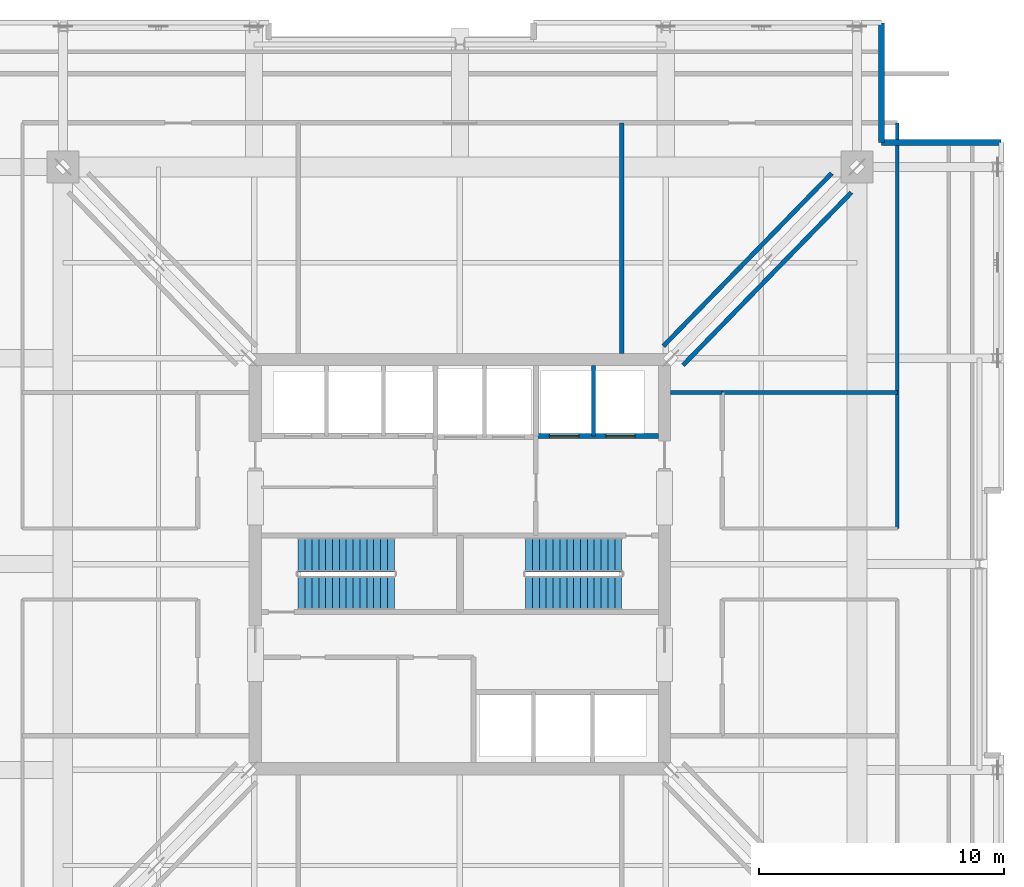
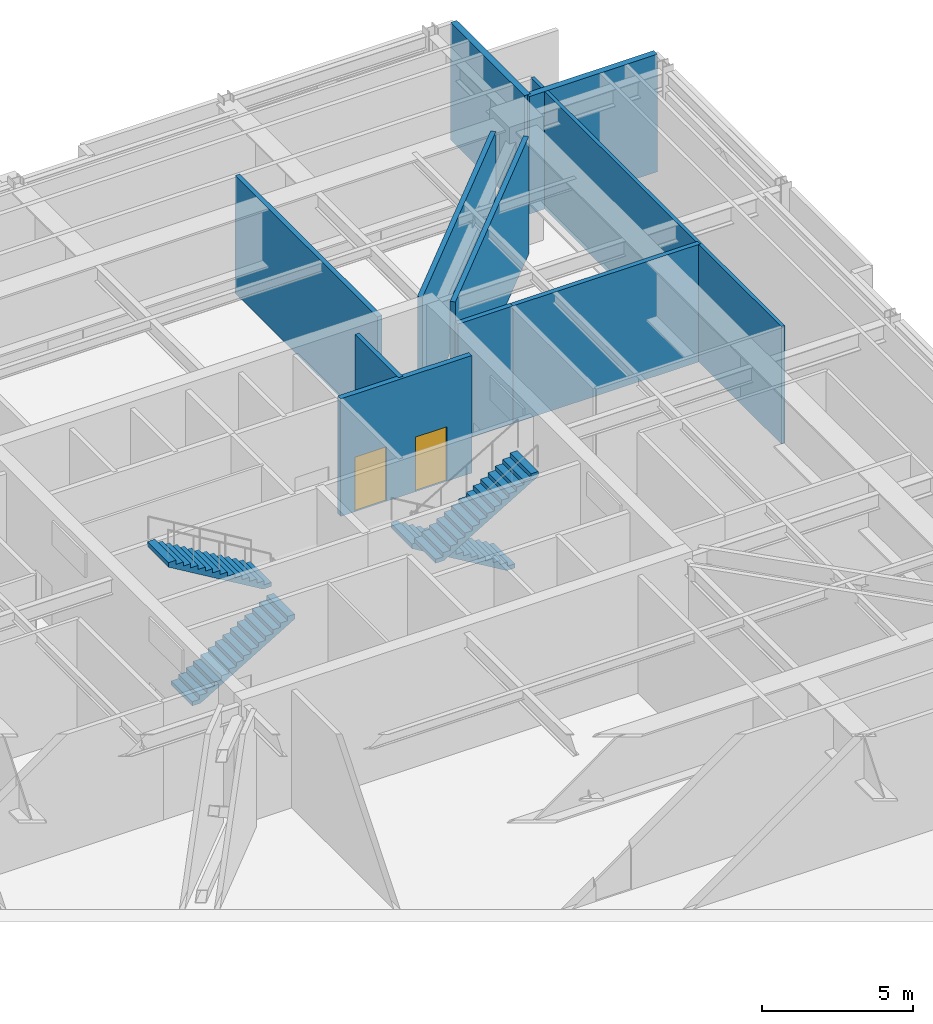
# One storey, part 9 of 13: 10 walls, 4 stair flights, 2 doors, 2 openings, 2 elements without a shape of their own.
"""IFC4 building model written with IfcOpenShell, lengths in metres."""

from ifc_helpers import new_model, si_unit, direction, frame, frame_2d, origin, place, context, subcontext, project, spatial, polyline, rectangle, outline, extrude, material, layer, layer_set, type_object, element, fill, aggregate, save


model = new_model("IFC4")

# Units and contexts
model_context = context("Model", 3, precision=1e-05, world=origin(), true_north=direction((0.0, 1.0)))
body_context = subcontext(model_context, "Body", "Model", "MODEL_VIEW")
ifc_project = project(units=[si_unit("LENGTHUNIT", "METRE"), si_unit("AREAUNIT", "SQUARE_METRE"), si_unit("VOLUMEUNIT", "CUBIC_METRE"), si_unit("PLANEANGLEUNIT", "RADIAN"), si_unit("MASSUNIT", "GRAM", prefix="KILO")], contexts=[model_context])

# Site, building, storey
site_placement = place(None, origin())
site = spatial("IfcSite", under=ifc_project, at=site_placement, CompositionType="ELEMENT")
building_placement = place(site_placement, origin())
building = spatial("IfcBuilding", under=site, at=building_placement, Name="Drelvath Grand Hotel", CompositionType="ELEMENT")
storey_placement = place(building_placement, frame((0.0, 0.0, 200.10009765625)))
storey = spatial("IfcBuildingStorey", under=building, at=storey_placement, Name="L52", CompositionType="ELEMENT", Elevation=200.10009765625)

# Wall, openings, doors
ifc_material_1 = material(Name="Concrete C40/50", Category="concrete")
ifc_layer_1 = layer(ifc_material_1, 0.199951171875)
ifc_layer_set_1 = layer_set([ifc_layer_1], Name="Concrete C40/50")
wall_type_1 = type_object("IfcWallType", Name="Core Hoistway Fire Wall 200", PredefinedType="SOLIDWALL", material=ifc_layer_set_1)
wall_1_placement = place(storey_placement, frame((3.10009765625, 32.219970703125, 0.0), z_axis=(0.0, 0.0, 1.0), x_axis=(1.0, 0.0, 0.0)))
wall_1 = element("IfcWall", 1, at=wall_1_placement, inside=storey, type_object=wall_type_1, Name="L52 FSAE Hoistway Front Wall", PredefinedType="SOLIDWALL", context=body_context, shape_type="SweptSolid", body=[
    extrude(rectangle(XDim=5.0, YDim=0.199951171875, at=frame_2d((2.5, 0.0))), origin(), (0.0, 0.0, 1.0), 4.739990234375),
])
opening_1_placement = place(wall_1_placement, frame((0.550048828125, 0.0, 0.0)))
opening_1 = element("IfcOpeningElement", 2, at=opening_1_placement, cuts=wall_1, Name="Opening LD-FSAE-1", PredefinedType="OPENING", context=body_context, shape_type="SweptSolid", body=[
    extrude(rectangle(XDim=1.199951171875, YDim=2.199951171875, at=frame_2d((0.60009765625, 1.10009765625))), frame((0.0, 0.10986328125, 0.0), z_axis=(0.0, -1.0, 0.0), x_axis=(1.0, 0.0, 0.0)), (0.0, 0.0, 1.0), 0.219970703125),
])
opening_2_placement = place(wall_1_placement, frame((2.85009765625, 0.0, 0.0)))
opening_2 = element("IfcOpeningElement", 3, at=opening_2_placement, cuts=wall_1, Name="Opening LD-FSAE-2", PredefinedType="OPENING", context=body_context, shape_type="SweptSolid", body=[
    extrude(rectangle(XDim=1.199951171875, YDim=2.199951171875, at=frame_2d((0.60009765625, 1.10009765625))), frame((0.0, 0.10986328125, 0.0), z_axis=(0.0, -1.0, 0.0), x_axis=(1.0, 0.0, 0.0)), (0.0, 0.0, 1.0), 0.219970703125),
])
ifc_material_2 = material(Name="Stainless Steel S355", Category="steel")
door_type = type_object("IfcDoorType", Name="FSAE Lift Sliding Landing Door 1200x2200", OperationType="NOTDEFINED", PredefinedType="DOOR", material=ifc_material_2)
door_1_placement = place(opening_1_placement, origin())
door_1 = element("IfcDoor", 4, at=door_1_placement, inside=storey, type_object=door_type, Name="L52 Lift FSAE-1 Landing Door", OperationType="SLIDING_TO_LEFT", OverallHeight=2.199951171875, OverallWidth=1.199951171875, PredefinedType="DOOR", context=body_context, shape_type="SweptSolid", body=[
    extrude(rectangle(XDim=1.199951171875, YDim=2.199951171875, at=frame_2d((0.60009765625, 1.10009765625))), frame((0.0, 0.02490234375, 0.0), z_axis=(0.0, -1.0, 0.0), x_axis=(1.0, 0.0, 0.0)), (0.0, 0.0, 1.0), 0.050048828125),
])
fill(opening_1, door_1)
door_2_placement = place(opening_2_placement, origin())
door_2 = element("IfcDoor", 5, at=door_2_placement, inside=storey, type_object=door_type, Name="L52 Lift FSAE-2 Landing Door", OperationType="SLIDING_TO_LEFT", OverallHeight=2.199951171875, OverallWidth=1.199951171875, PredefinedType="DOOR", context=body_context, shape_type="SweptSolid", body=[
    extrude(rectangle(XDim=1.199951171875, YDim=2.199951171875, at=frame_2d((0.60009765625, 1.10009765625))), frame((0.0, 0.02490234375, 0.0), z_axis=(0.0, -1.0, 0.0), x_axis=(1.0, 0.0, 0.0)), (0.0, 0.0, 1.0), 0.050048828125),
])
fill(opening_2, door_2)

# Walls
ifc_material_3 = material(Name="Gypsum Fireboard Partition")
ifc_layer_2 = layer(ifc_material_3, 0.1650390625)
ifc_layer_set_2 = layer_set([ifc_layer_2], Name="Gypsum Fireboard Partition")
wall_type_2 = type_object("IfcWallType", Name="Core Shaft Partition 165", PredefinedType="PARTITIONING", material=ifc_layer_set_2)
wall_2_placement = place(storey_placement, frame((5.449951171875, 32.219970703125, 0.0), z_axis=(0.0, 0.0, 1.0), x_axis=(0.0, 1.0, 0.0)))
element("IfcWall", 6, at=wall_2_placement, inside=storey, type_object=wall_type_2, Name="L52 FSAE Hoistway Divider", PredefinedType="PARTITIONING", context=body_context, shape_type="SweptSolid", body=[
    extrude(rectangle(XDim=2.880126953125, YDim=0.1650390625, at=frame_2d((1.43994140625, 0.0))), origin(), (0.0, 0.0, 1.0), 4.739990234375),
])
ifc_layer_3 = layer(ifc_material_3, 0.135009765625)
ifc_layer_set_3 = layer_set([ifc_layer_3], Name="Gypsum Fireboard Partition")
wall_type_3 = type_object("IfcWallType", Name="Corridor Fire Barrier Wall 135", PredefinedType="PARTITIONING", material=ifc_layer_set_3)
wall_3_placement = place(storey_placement, frame((17.85009765625, 28.449951171875, 0.0), z_axis=(0.0, 0.0, 1.0), x_axis=(0.0, 1.0, 0.0)))
element("IfcWall", 7, at=wall_3_placement, inside=storey, type_object=wall_type_3, Name="L52 East Outer Leg Inner N", PredefinedType="PARTITIONING", context=body_context, shape_type="SweptSolid", body=[
    extrude(rectangle(XDim=16.550048828125, YDim=0.135009765625, at=frame_2d((8.27490234375, 0.0))), origin(), (0.0, 0.0, 1.0), 4.739990234375),
])
ifc_layer_4 = layer(ifc_material_3, 0.179931640625)
ifc_layer_set_4 = layer_set([ifc_layer_4], Name="Gypsum Fireboard Partition")
wall_type_4 = type_object("IfcWallType", Name="FSAE Smoke Lobby Fire Wall 180", PredefinedType="SOLIDWALL", material=ifc_layer_set_4)
for number, where, z_axis, x_axis, name in (
    (8, (9.105712890625, 35.11669921875, 0.0), (0.0, 0.0, 1.0), (0.697867337648, 0.71622704434, 0.0), "L52 Truss NE Fire Bulkhead A"),
    (9, (8.3037109375, 35.898193359375, 0.0), (0.0, 0.0, 1.0), (0.697854936738, 0.716239127157, 0.0), "L52 Truss NE Fire Bulkhead B"),
):
    element("IfcWall", number, at=place(storey_placement, frame(where, z_axis=z_axis, x_axis=x_axis)), inside=storey, type_object=wall_type_4, Name=name, PredefinedType="SOLIDWALL", context=body_context, shape_type="SweptSolid", body=[
        extrude(rectangle(XDim=9.84033203125, YDim=0.179931640625, at=frame_2d((4.920166015625, 0.0))), origin(), (0.0, 0.0, 1.0), 4.739990234375),
    ])
wall_4_placement = place(storey_placement, frame((8.60009765625, 34.0, 0.0), z_axis=(0.0, 0.0, 1.0), x_axis=(1.0, 0.0, 0.0)))
element("IfcWall", 10, at=wall_4_placement, inside=storey, type_object=wall_type_4, Name="L52 Plant East Foyer North End", PredefinedType="SOLIDWALL", context=body_context, shape_type="SweptSolid", body=[
    extrude(rectangle(XDim=2.099853515625, YDim=0.179931640625, at=frame_2d((1.0498046875, 0.0))), origin(), (0.0, 0.0, 1.0), 4.739990234375),
])
wall_5_placement = place(storey_placement, frame((6.60009765625, 35.60009765625, 0.0), z_axis=(0.0, 0.0, 1.0), x_axis=(0.0, 1.0, 0.0)))
element("IfcWall", 11, at=wall_5_placement, inside=storey, type_object=wall_type_4, Name="L52 North Refuge Inner East Wall", PredefinedType="SOLIDWALL", context=body_context, shape_type="SweptSolid", body=[
    extrude(rectangle(XDim=9.39990234375, YDim=0.179931640625, at=frame_2d((4.699951171875, 0.0))), origin(), (0.0, 0.0, 1.0), 4.739990234375),
])
wall_6_placement = place(storey_placement, frame((10.699951171875, 34.0, 0.0), z_axis=(0.0, 0.0, 1.0), x_axis=(1.0, 0.0, 0.0)))
element("IfcWall", 12, at=wall_6_placement, inside=storey, type_object=wall_type_4, Name="L52 East Inner Plant North Wall", PredefinedType="SOLIDWALL", context=body_context, shape_type="SweptSolid", body=[
    extrude(rectangle(XDim=7.150146484375, YDim=0.179931640625, at=frame_2d((3.5751953125, 0.0))), origin(), (0.0, 0.0, 1.0), 4.739990234375),
])
ifc_material_4 = material(Name="Pale-Metal Insulated Aluminium Spandrel Assembly", Category="aluminium")
ifc_layer_5 = layer(ifc_material_4, 0.239990234375)
ifc_layer_set_5 = layer_set([ifc_layer_5], Name="Pale-Metal Insulated Aluminium Spandrel Assembly")
wall_type_5 = type_object("IfcWallType", Name="Tower Insulated Metal Spandrel Closure Wall 240", PredefinedType="STANDARD", material=ifc_layer_set_5)
for number, where, z_axis, x_axis, name in (
    (13, (17.199951171875, 49.080078125, 0.0), (0.0, 0.0, 1.0), (0.0, -1.0, 0.0), "L52 Notched Corner Return Spandrel Wall CNE1"),
    (14, (17.199951171875, 44.199951171875, 0.0), (0.0, 0.0, 1.0), (1.0, 0.0, 0.0), "L52 Notched Corner Return Spandrel Wall CNE2"),
):
    element("IfcWall", number, at=place(storey_placement, frame(where, z_axis=z_axis, x_axis=x_axis)), inside=storey, type_object=wall_type_5, Name=name, PredefinedType="STANDARD", context=body_context, shape_type="SweptSolid", body=[
        extrude(rectangle(XDim=4.880126953125, YDim=0.239990234375, at=frame_2d((2.43994140625, 0.0))), origin(), (0.0, 0.0, 1.0), 4.739990234375),
    ])

# Stair, stair flights
stair_type = type_object("IfcStairType", Name="Dogleg Exit Stair W1400-R166.7", PredefinedType="HALF_TURN_STAIR", material=ifc_material_1)
stair_1_placement = place(storey_placement, origin())
stair_1 = element("IfcStair", 15, at=stair_1_placement, inside=storey, type_object=stair_type, Name="L52 Core Exit Stair ST-1", PredefinedType="HALF_TURN_STAIR")
stair_flight_type = type_object("IfcStairFlightType", Name="Concrete Stair Flight W1400-R166.7", PredefinedType="STRAIGHT", material=ifc_material_1)
stair_flight_1_placement = place(storey_placement, frame((-6.60009765625, 25.820068359375, 0.0), z_axis=(0.0, 0.0, 1.0), x_axis=(1.0, 0.0, 0.0)))
stair_flight_1 = element("IfcStairFlight", 16, at=stair_flight_1_placement, type_object=stair_flight_type, Name="ST-1 flight 1", NumberOfRisers=15, NumberOfTreads=14, PredefinedType="STRAIGHT", RiserHeight=0.166666667, TreadLength=0.28, context=body_context, shape_type="SweptSolid", body=[
    extrude(outline(polyline([(0.0, 0.0), (0.0, 0.166748046875), (0.280029296875, 0.166748046875), (0.280029296875, 0.333251953125), (0.56005859375, 0.333251953125), (0.56005859375, 0.5), (0.840087890625, 0.5), (0.840087890625, 0.666748046875), (1.1201171875, 0.666748046875), (1.1201171875, 0.833251953125), (1.39990234375, 0.833251953125), (1.39990234375, 1.0), (1.679931640625, 1.0), (1.679931640625, 1.166748046875), (1.9599609375, 1.166748046875), (1.9599609375, 1.333251953125), (2.239990234375, 1.333251953125), (2.239990234375, 1.5), (2.52001953125, 1.5), (2.52001953125, 1.666748046875), (2.800048828125, 1.666748046875), (2.800048828125, 1.833251953125), (3.080078125, 1.833251953125), (3.080078125, 2.0), (3.360107421875, 2.0), (3.360107421875, 2.166748046875), (3.639892578125, 2.166748046875), (3.639892578125, 2.333251953125), (3.919921875, 2.333251953125), (3.919921875, 2.5), (3.919921875, 2.147216796875), (0.312744140625, 0.0), (0.0, 0.0)])), frame((0.0, 0.699951171875, 0.0), z_axis=(0.0, -1.0, 0.0), x_axis=(1.0, 0.0, 0.0)), (0.0, 0.0, 1.0), 1.39990234375),
])
stair_flight_2_placement = place(storey_placement, frame((-2.679931640625, 27.3798828125, 2.5), z_axis=(0.0, 0.0, 1.0), x_axis=(-1.0, 0.0, 0.0)))
stair_flight_2 = element("IfcStairFlight", 17, at=stair_flight_2_placement, type_object=stair_flight_type, Name="ST-1 flight 2", NumberOfRisers=15, NumberOfTreads=14, PredefinedType="STRAIGHT", RiserHeight=0.166666667, TreadLength=0.28, context=body_context, shape_type="SweptSolid", body=[
    extrude(outline(polyline([(0.0, 0.0), (0.0, 0.166748046875), (0.280029296875, 0.166748046875), (0.280029296875, 0.333251953125), (0.56005859375, 0.333251953125), (0.56005859375, 0.5), (0.840087890625, 0.5), (0.840087890625, 0.666748046875), (1.1201171875, 0.666748046875), (1.1201171875, 0.833251953125), (1.39990234375, 0.833251953125), (1.39990234375, 1.0), (1.679931640625, 1.0), (1.679931640625, 1.166748046875), (1.9599609375, 1.166748046875), (1.9599609375, 1.333251953125), (2.239990234375, 1.333251953125), (2.239990234375, 1.5), (2.52001953125, 1.5), (2.52001953125, 1.666748046875), (2.800048828125, 1.666748046875), (2.800048828125, 1.833251953125), (3.080078125, 1.833251953125), (3.080078125, 2.0), (3.360107421875, 2.0), (3.360107421875, 2.166748046875), (3.639892578125, 2.166748046875), (3.639892578125, 2.333251953125), (3.919921875, 2.333251953125), (3.919921875, 2.5), (3.919921875, 2.147216796875), (0.312744140625, 0.0), (0.0, 0.0)])), frame((0.0, 0.699951171875, 0.0), z_axis=(0.0, -1.0, 0.0), x_axis=(1.0, 0.0, 0.0)), (0.0, 0.0, 1.0), 1.39990234375),
])
aggregate(stair_1, [stair_flight_1, stair_flight_2])

stair_2_placement = place(storey_placement, origin())
stair_2 = element("IfcStair", 18, at=stair_2_placement, inside=storey, type_object=stair_type, Name="L52 Core Exit Stair ST-2", PredefinedType="HALF_TURN_STAIR")
stair_flight_3_placement = place(storey_placement, frame((6.60009765625, 27.3798828125, 0.0), z_axis=(0.0, 0.0, 1.0), x_axis=(-1.0, 0.0, 0.0)))
stair_flight_3 = element("IfcStairFlight", 19, at=stair_flight_3_placement, type_object=stair_flight_type, Name="ST-2 flight 1", NumberOfRisers=15, NumberOfTreads=14, PredefinedType="STRAIGHT", RiserHeight=0.166666667, TreadLength=0.28, context=body_context, shape_type="SweptSolid", body=[
    extrude(outline(polyline([(0.0, 0.0), (0.0, 0.166748046875), (0.280029296875, 0.166748046875), (0.280029296875, 0.333251953125), (0.56005859375, 0.333251953125), (0.56005859375, 0.5), (0.840087890625, 0.5), (0.840087890625, 0.666748046875), (1.1201171875, 0.666748046875), (1.1201171875, 0.833251953125), (1.39990234375, 0.833251953125), (1.39990234375, 1.0), (1.679931640625, 1.0), (1.679931640625, 1.166748046875), (1.9599609375, 1.166748046875), (1.9599609375, 1.333251953125), (2.239990234375, 1.333251953125), (2.239990234375, 1.5), (2.52001953125, 1.5), (2.52001953125, 1.666748046875), (2.800048828125, 1.666748046875), (2.800048828125, 1.833251953125), (3.080078125, 1.833251953125), (3.080078125, 2.0), (3.360107421875, 2.0), (3.360107421875, 2.166748046875), (3.639892578125, 2.166748046875), (3.639892578125, 2.333251953125), (3.919921875, 2.333251953125), (3.919921875, 2.5), (3.919921875, 2.147216796875), (0.312744140625, 0.0), (0.0, 0.0)])), frame((0.0, 0.699951171875, 0.0), z_axis=(0.0, -1.0, 0.0), x_axis=(1.0, 0.0, 0.0)), (0.0, 0.0, 1.0), 1.39990234375),
])
stair_flight_4_placement = place(storey_placement, frame((2.679931640625, 25.820068359375, 2.5), z_axis=(0.0, 0.0, 1.0), x_axis=(1.0, 0.0, 0.0)))
stair_flight_4 = element("IfcStairFlight", 20, at=stair_flight_4_placement, type_object=stair_flight_type, Name="ST-2 flight 2", NumberOfRisers=15, NumberOfTreads=14, PredefinedType="STRAIGHT", RiserHeight=0.166666667, TreadLength=0.28, context=body_context, shape_type="SweptSolid", body=[
    extrude(outline(polyline([(0.0, 0.0), (0.0, 0.166748046875), (0.280029296875, 0.166748046875), (0.280029296875, 0.333251953125), (0.56005859375, 0.333251953125), (0.56005859375, 0.5), (0.840087890625, 0.5), (0.840087890625, 0.666748046875), (1.1201171875, 0.666748046875), (1.1201171875, 0.833251953125), (1.39990234375, 0.833251953125), (1.39990234375, 1.0), (1.679931640625, 1.0), (1.679931640625, 1.166748046875), (1.9599609375, 1.166748046875), (1.9599609375, 1.333251953125), (2.239990234375, 1.333251953125), (2.239990234375, 1.5), (2.52001953125, 1.5), (2.52001953125, 1.666748046875), (2.800048828125, 1.666748046875), (2.800048828125, 1.833251953125), (3.080078125, 1.833251953125), (3.080078125, 2.0), (3.360107421875, 2.0), (3.360107421875, 2.166748046875), (3.639892578125, 2.166748046875), (3.639892578125, 2.333251953125), (3.919921875, 2.333251953125), (3.919921875, 2.5), (3.919921875, 2.147216796875), (0.312744140625, 0.0), (0.0, 0.0)])), frame((0.0, 0.699951171875, 0.0), z_axis=(0.0, -1.0, 0.0), x_axis=(1.0, 0.0, 0.0)), (0.0, 0.0, 1.0), 1.39990234375),
])
aggregate(stair_2, [stair_flight_3, stair_flight_4])

save(model, "model.ifc")
